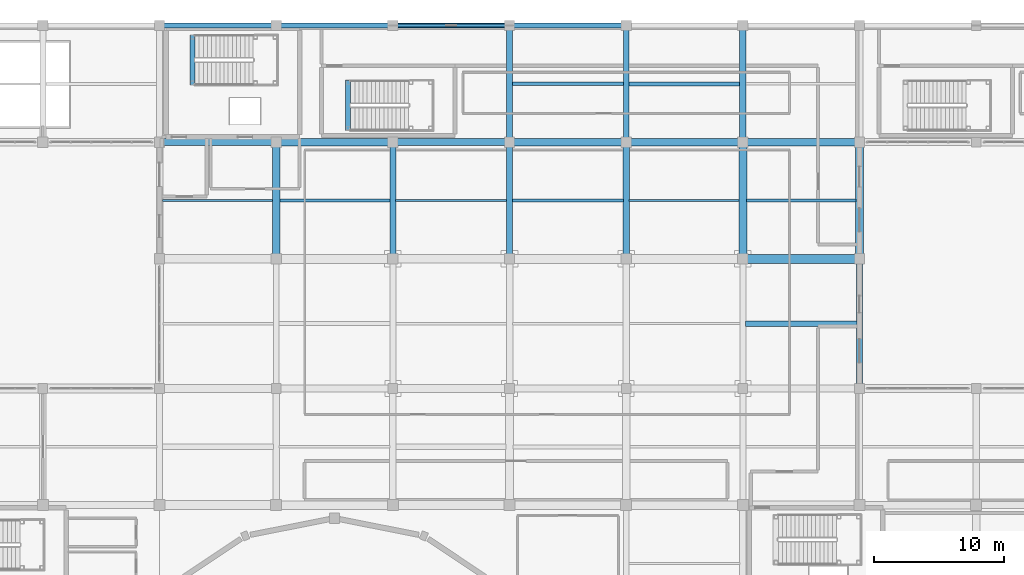
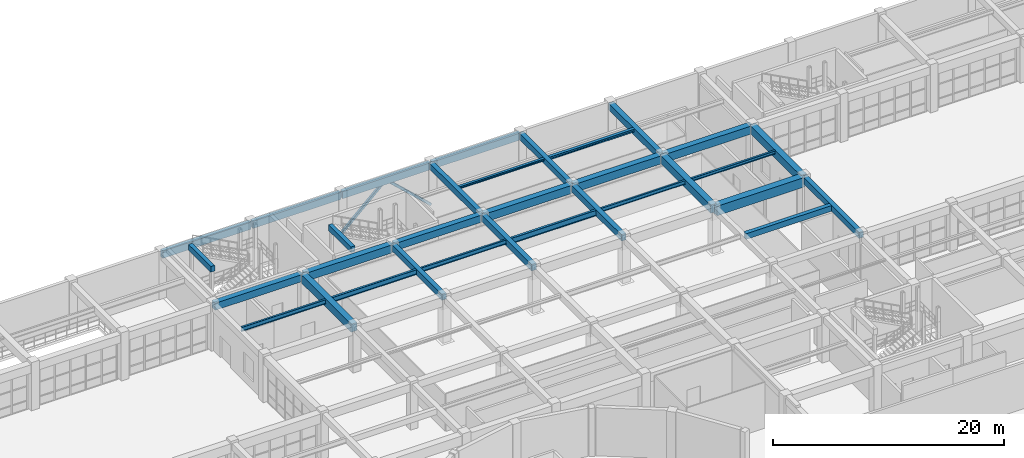
# One storey, part 69 of 128: 32 beams, 2 members.
"""IFC4 building model written with IfcOpenShell, lengths in metres."""

from ifc_helpers import new_model, si_unit, direction, frame, origin, origin_2d, place, context, subcontext, project, spatial, rectangle, hollow_rectangle, i_section, extrude, material, material_profile, profile_set, type_object, element, save


model = new_model("IFC4")

# Units and contexts
model_context = context("Model", 3, precision=1e-05, world=origin(), true_north=direction((0.0, 1.0)))
body_context = subcontext(model_context, "Body", "Model", "MODEL_VIEW")
ifc_project = project(units=[si_unit("LENGTHUNIT", "METRE"), si_unit("AREAUNIT", "SQUARE_METRE"), si_unit("VOLUMEUNIT", "CUBIC_METRE"), si_unit("PLANEANGLEUNIT", "RADIAN"), si_unit("MASSUNIT", "GRAM", prefix="KILO")], contexts=[model_context])

# Site, building, storey
site_placement = place(None, origin())
site = spatial("IfcSite", under=ifc_project, at=site_placement, CompositionType="ELEMENT")
building_placement = place(site_placement, origin())
building = spatial("IfcBuilding", under=site, at=building_placement, Name="Miravela Opera House", CompositionType="ELEMENT")
storey_placement = place(building_placement, origin())
storey = spatial("IfcBuildingStorey", under=building, at=storey_placement, Name="L00", CompositionType="ELEMENT", Elevation=0.0)

# Beams
ifc_material_1 = material(Name="Concrete C35/45", Category="concrete")
ifc_material_profile_1 = material_profile(ifc_material_1, rectangle(XDim=0.39990234375, YDim=0.60009765625, at=origin_2d()), Name="RC-BM-400X600")
ifc_profile_set_1 = profile_set([ifc_material_profile_1])
beam_type_1 = type_object("IfcBeamType", Name="STR-BM-RC400X600", PredefinedType="JOIST", material=ifc_profile_set_1)
beam_1_placement = place(storey_placement, frame((108.2099609375, 89.0, 4.550048828125), z_axis=(1.0, 0.0, 0.0), x_axis=(0.0, 1.0, 0.0)))
element("IfcBeam", 1, at=beam_1_placement, inside=storey, type_object=beam_type_1, Name="Secondary Floor Joist L00 13-14/J-K", PredefinedType="JOIST", context=body_context, shape_type="SweptSolid", body=[
    extrude(rectangle(XDim=0.39990234375, YDim=0.60009765625, at=origin_2d()), origin(), (0.0, 0.0, 1.0), 8.580078125),
])
for number, where, z_axis, x_axis, name in (
    (2, (65.5400390625, 107.39990234375, 4.800048828125), (0.0, 1.0, 0.0), (-1.0, 0.0, 0.0), "Stair K5 Opening Header Trimmer Beam 01"),
    (3, (77.5400390625, 103.89990234375, 4.800048828125), (0.0, 1.0, 0.0), (-1.0, 0.0, 0.0), "Stair ST-07 Opening Header Trimmer Beam 01"),
):
    element("IfcBeam", number, at=place(storey_placement, frame(where, z_axis=z_axis, x_axis=x_axis)), inside=storey, type_object=beam_type_1, Name=name, PredefinedType="JOIST", context=body_context, shape_type="SweptSolid", body=[
        extrude(rectangle(XDim=0.39990234375, YDim=0.60009765625, at=origin_2d()), origin(), (0.0, 0.0, 1.0), 3.880126953125),
    ])
ifc_material_profile_2 = material_profile(ifc_material_1, rectangle(XDim=0.449951171875, YDim=0.64990234375, at=origin_2d()), Name="RC-BM-450X650")
ifc_profile_set_2 = profile_set([ifc_material_profile_2])
beam_type_2 = type_object("IfcBeamType", Name="STR-BM-RC450X650", PredefinedType="BEAM", material=ifc_profile_set_2)
for number, where, z_axis, x_axis, name in (
    (4, (81.0, 94.080078125, 4.52490234375), (0.0, 1.0, 0.0), (-1.0, 0.0, 0.0), "Floor Girder L00 10/K-L"),
    (5, (90.0, 103.080078125, 4.52490234375), (0.0, 1.0, 0.0), (-1.0, 0.0, 0.0), "Floor Girder L00 11/L-M"),
    (6, (99.0, 103.080078125, 4.52490234375), (0.0, 1.0, 0.0), (-1.0, 0.0, 0.0), "Floor Girder L00 12/L-M"),
):
    element("IfcBeam", number, at=place(storey_placement, frame(where, z_axis=z_axis, x_axis=x_axis)), inside=storey, type_object=beam_type_2, Name=name, PredefinedType="BEAM", context=body_context, shape_type="SweptSolid", body=[
        extrude(rectangle(XDim=0.449951171875, YDim=0.64990234375, at=origin_2d()), origin(), (0.0, 0.0, 1.0), 8.83984375),
    ])
beam_2_placement = place(storey_placement, frame((117.0, 84.080078125, 4.52490234375), z_axis=(0.0, 1.0, 0.0), x_axis=(-1.0, 0.0, 0.0)))
element("IfcBeam", 7, at=beam_2_placement, inside=storey, type_object=beam_type_2, Name="Floor Girder L00 14/J-K", PredefinedType="BEAM", context=body_context, shape_type="SweptSolid", body=[
    extrude(rectangle(XDim=0.449951171875, YDim=0.64990234375, at=origin_2d()), origin(), (0.0, 0.0, 1.0), 9.83984375),
])
ifc_material_profile_3 = material_profile(ifc_material_1, rectangle(XDim=0.47998046875, YDim=0.679931640625, at=origin_2d()), Name="RC-BM-480X680")
ifc_profile_set_3 = profile_set([ifc_material_profile_3])
beam_type_3 = type_object("IfcBeamType", Name="STR-BM-RC480X680", PredefinedType="BEAM", material=ifc_profile_set_3)
for number, where, z_axis, x_axis, name in (
    (8, (90.0, 94.080078125, 4.510009765625), (0.0, 1.0, 0.0), (-1.0, 0.0, 0.0), "Floor Girder L00 11/K-L"),
    (9, (99.0, 94.080078125, 4.510009765625), (0.0, 1.0, 0.0), (-1.0, 0.0, 0.0), "Floor Girder L00 12/K-L"),
):
    element("IfcBeam", number, at=place(storey_placement, frame(where, z_axis=z_axis, x_axis=x_axis)), inside=storey, type_object=beam_type_3, Name=name, PredefinedType="BEAM", context=body_context, shape_type="SweptSolid", body=[
        extrude(rectangle(XDim=0.47998046875, YDim=0.679931640625, at=origin_2d()), origin(), (0.0, 0.0, 1.0), 8.83984375),
    ])
ifc_material_profile_4 = material_profile(ifc_material_1, rectangle(XDim=0.5, YDim=0.699951171875, at=origin_2d()), Name="RC-BM-500X700")
ifc_profile_set_4 = profile_set([ifc_material_profile_4])
beam_type_4 = type_object("IfcBeamType", Name="STR-BM-RC500X700", PredefinedType="BEAM", material=ifc_profile_set_4)
beam_3_placement = place(storey_placement, frame((108.0, 103.080078125, 4.5), z_axis=(0.0, 1.0, 0.0), x_axis=(-1.0, 0.0, 0.0)))
element("IfcBeam", 10, at=beam_3_placement, inside=storey, type_object=beam_type_4, Name="Floor Girder L00 13/L-M", PredefinedType="BEAM", context=body_context, shape_type="SweptSolid", body=[
    extrude(rectangle(XDim=0.5, YDim=0.699951171875, at=origin_2d()), origin(), (0.0, 0.0, 1.0), 8.83984375),
])
ifc_material_profile_5 = material_profile(ifc_material_1, rectangle(XDim=0.550048828125, YDim=0.75, at=origin_2d()), Name="RC-BM-550X750")
ifc_profile_set_5 = profile_set([ifc_material_profile_5])
beam_type_5 = type_object("IfcBeamType", Name="STR-BM-RC550X750", PredefinedType="BEAM", material=ifc_profile_set_5)
for number, where, z_axis, x_axis, name in (
    (11, (63.080078125, 103.0, 4.47509765625), (1.0, 0.0, 0.0), (0.0, 1.0, 0.0), "Floor Girder L00 8-9/L"),
    (12, (81.080078125, 103.0, 4.47509765625), (1.0, 0.0, 0.0), (0.0, 1.0, 0.0), "Floor Girder L00 10-11/L"),
):
    element("IfcBeam", number, at=place(storey_placement, frame(where, z_axis=z_axis, x_axis=x_axis)), inside=storey, type_object=beam_type_5, Name=name, PredefinedType="BEAM", context=body_context, shape_type="SweptSolid", body=[
        extrude(rectangle(XDim=0.550048828125, YDim=0.75, at=origin_2d()), origin(), (0.0, 0.0, 1.0), 8.83984375),
    ])
ifc_material_2 = material(Name="Concrete C40/50", Category="concrete")
ifc_material_profile_6 = material_profile(ifc_material_2, rectangle(XDim=0.60009765625, YDim=0.85009765625, at=origin_2d()), Name="RC-BM-600X850")
ifc_profile_set_6 = profile_set([ifc_material_profile_6])
beam_type_6 = type_object("IfcBeamType", Name="STR-BM-RC600X850", PredefinedType="BEAM", material=ifc_profile_set_6)
for number, where, z_axis, x_axis, name in (
    (13, (72.080078125, 103.0, 4.425048828125), (1.0, 0.0, 0.0), (0.0, 1.0, 0.0), "Floor Girder L00 9-10/L"),
    (14, (90.080078125, 103.0, 4.425048828125), (1.0, 0.0, 0.0), (0.0, 1.0, 0.0), "Floor Girder L00 11-12/L"),
    (15, (99.080078125, 103.0, 4.425048828125), (1.0, 0.0, 0.0), (0.0, 1.0, 0.0), "Floor Girder L00 12-13/L"),
    (16, (108.080078125, 103.0, 4.425048828125), (1.0, 0.0, 0.0), (0.0, 1.0, 0.0), "Floor Girder L00 13-14/L"),
    (17, (72.0, 94.080078125, 4.425048828125), (0.0, 1.0, 0.0), (-1.0, 0.0, 0.0), "Floor Girder L00 9/K-L"),
    (18, (108.0, 94.080078125, 4.425048828125), (0.0, 1.0, 0.0), (-1.0, 0.0, 0.0), "Floor Girder L00 13/K-L"),
    (19, (117.0, 94.080078125, 4.425048828125), (0.0, 1.0, 0.0), (-1.0, 0.0, 0.0), "Floor Girder L00 14/K-L"),
):
    element("IfcBeam", number, at=place(storey_placement, frame(where, z_axis=z_axis, x_axis=x_axis)), inside=storey, type_object=beam_type_6, Name=name, PredefinedType="BEAM", context=body_context, shape_type="SweptSolid", body=[
        extrude(rectangle(XDim=0.60009765625, YDim=0.85009765625, at=origin_2d()), origin(), (0.0, 0.0, 1.0), 8.83984375),
    ])
ifc_material_profile_7 = material_profile(ifc_material_2, rectangle(XDim=0.699951171875, YDim=1.0, at=origin_2d()), Name="RC-BM-700X1000")
ifc_profile_set_7 = profile_set([ifc_material_profile_7])
beam_type_7 = type_object("IfcBeamType", Name="STR-BM-RC700X1000", PredefinedType="BEAM", material=ifc_profile_set_7)
beam_4_placement = place(storey_placement, frame((108.080078125, 94.0, 4.35009765625), z_axis=(1.0, 0.0, 0.0), x_axis=(0.0, 1.0, 0.0)))
element("IfcBeam", 20, at=beam_4_placement, inside=storey, type_object=beam_type_7, Name="Floor Girder L00 13-14/K", PredefinedType="BEAM", context=body_context, shape_type="SweptSolid", body=[
    extrude(rectangle(XDim=0.699951171875, YDim=1.0, at=origin_2d()), origin(), (0.0, 0.0, 1.0), 8.83984375),
])
ifc_material_3 = material(Name="Structural steel ASTM A992 Gr. 50", Category="steel")
ifc_material_profile_8 = material_profile(ifc_material_3, i_section(OverallWidth=0.25390625, OverallDepth=0.2529296875, WebThickness=0.008544921875, FlangeThickness=0.01416015625, FilletRadius=0.011962890625, at=origin_2d()), Name="W250X73")
ifc_profile_set_8 = profile_set([ifc_material_profile_8])
beam_type_8 = type_object("IfcBeamType", Name="STR-BM-W250X73", PredefinedType="JOIST", material=ifc_profile_set_8)
beam_5_placement = place(storey_placement, frame((90.2099609375, 107.5, 4.723388671875), z_axis=(1.0, 0.0, 0.0), x_axis=(0.0, 1.0, 0.0)))
element("IfcBeam", 21, at=beam_5_placement, inside=storey, type_object=beam_type_8, Name="Secondary Floor Joist L00 11-12/L-M", PredefinedType="JOIST", context=body_context, shape_type="SweptSolid", body=[
    extrude(i_section(OverallWidth=0.25390625, OverallDepth=0.2529296875, WebThickness=0.008544921875, FlangeThickness=0.01416015625, FilletRadius=0.011962890625, at=origin_2d()), origin(), (0.0, 0.0, 1.0), 8.580078125),
])
ifc_material_profile_9 = material_profile(ifc_material_3, i_section(OverallWidth=0.304931640625, OverallDepth=0.30810546875, WebThickness=0.010009765625, FlangeThickness=0.015380859375, FilletRadius=0.013916015625, at=origin_2d()), Name="W310X97")
ifc_profile_set_9 = profile_set([ifc_material_profile_9])
beam_type_9 = type_object("IfcBeamType", Name="STR-BM-W310X97", PredefinedType="JOIST", material=ifc_profile_set_9)
beam_6_placement = place(storey_placement, frame((99.2099609375, 107.5, 4.696044921875), z_axis=(1.0, 0.0, 0.0), x_axis=(0.0, 1.0, 0.0)))
element("IfcBeam", 22, at=beam_6_placement, inside=storey, type_object=beam_type_9, Name="Secondary Floor Joist L00 12-13/L-M", PredefinedType="JOIST", context=body_context, shape_type="SweptSolid", body=[
    extrude(i_section(OverallWidth=0.304931640625, OverallDepth=0.30810546875, WebThickness=0.010009765625, FlangeThickness=0.015380859375, FilletRadius=0.013916015625, at=origin_2d()), origin(), (0.0, 0.0, 1.0), 8.554931640625),
])
ifc_material_profile_10 = material_profile(ifc_material_3, i_section(OverallWidth=0.2041015625, OverallDepth=0.35009765625, WebThickness=0.008544921875, FlangeThickness=0.01513671875, FilletRadius=0.013916015625, at=origin_2d()), Name="W360X72")
ifc_profile_set_10 = profile_set([ifc_material_profile_10])
beam_type_10 = type_object("IfcBeamType", Name="STR-BM-W360X72", PredefinedType="JOIST", material=ifc_profile_set_10)
beam_7_placement = place(storey_placement, frame((108.284912109375, 98.5, 4.675048828125), z_axis=(1.0, 0.0, 0.0), x_axis=(0.0, 1.0, 0.0)))
element("IfcBeam", 23, at=beam_7_placement, inside=storey, type_object=beam_type_10, Name="Secondary Floor Joist L00 13-14/K-L", PredefinedType="JOIST", context=body_context, shape_type="SweptSolid", body=[
    extrude(i_section(OverallWidth=0.2041015625, OverallDepth=0.35009765625, WebThickness=0.008544921875, FlangeThickness=0.01513671875, FilletRadius=0.013916015625, at=origin_2d()), origin(), (0.0, 0.0, 1.0), 8.43017578125),
])
ifc_material_profile_11 = material_profile(ifc_material_3, i_section(OverallWidth=0.177978515625, OverallDepth=0.406982421875, WebThickness=0.0078125, FlangeThickness=0.0126953125, FilletRadius=0.012939453125, at=origin_2d()), Name="W410X60")
ifc_profile_set_11 = profile_set([ifc_material_profile_11])
beam_type_11 = type_object("IfcBeamType", Name="STR-BM-W410X60", PredefinedType="JOIST", material=ifc_profile_set_11)
beam_8_placement = place(storey_placement, frame((99.22509765625, 98.5, 4.646484375), z_axis=(1.0, 0.0, 0.0), x_axis=(0.0, 1.0, 0.0)))
element("IfcBeam", 24, at=beam_8_placement, inside=storey, type_object=beam_type_11, Name="Secondary Floor Joist L00 12-13/K-L", PredefinedType="JOIST", context=body_context, shape_type="SweptSolid", body=[
    extrude(i_section(OverallWidth=0.177978515625, OverallDepth=0.406982421875, WebThickness=0.0078125, FlangeThickness=0.0126953125, FilletRadius=0.012939453125, at=origin_2d()), origin(), (0.0, 0.0, 1.0), 8.489990234375),
])
ifc_material_profile_12 = material_profile(ifc_material_3, i_section(OverallWidth=0.19091796875, OverallDepth=0.4599609375, WebThickness=0.010009765625, FlangeThickness=0.01611328125, FilletRadius=0.014892578125, at=origin_2d()), Name="W460X82")
ifc_profile_set_12 = profile_set([ifc_material_profile_12])
beam_type_12 = type_object("IfcBeamType", Name="STR-BM-W460X82", PredefinedType="JOIST", material=ifc_profile_set_12)
beam_9_placement = place(storey_placement, frame((63.235107421875, 98.5, 4.6201171875), z_axis=(1.0, 0.0, 0.0), x_axis=(0.0, 1.0, 0.0)))
element("IfcBeam", 25, at=beam_9_placement, inside=storey, type_object=beam_type_12, Name="Secondary Floor Joist L00 8-9/K-L", PredefinedType="JOIST", context=body_context, shape_type="SweptSolid", body=[
    extrude(i_section(OverallWidth=0.19091796875, OverallDepth=0.4599609375, WebThickness=0.010009765625, FlangeThickness=0.01611328125, FilletRadius=0.014892578125, at=origin_2d()), origin(), (0.0, 0.0, 1.0), 8.47998046875),
])
beam_10_placement = place(storey_placement, frame((81.2099609375, 98.5, 4.6201171875), z_axis=(1.0, 0.0, 0.0), x_axis=(0.0, 1.0, 0.0)))
element("IfcBeam", 26, at=beam_10_placement, inside=storey, type_object=beam_type_12, Name="Secondary Floor Joist L00 10-11/K-L", PredefinedType="JOIST", context=body_context, shape_type="SweptSolid", body=[
    extrude(i_section(OverallWidth=0.19091796875, OverallDepth=0.4599609375, WebThickness=0.010009765625, FlangeThickness=0.01611328125, FilletRadius=0.014892578125, at=origin_2d()), origin(), (0.0, 0.0, 1.0), 8.56494140625),
])
ifc_material_profile_13 = material_profile(ifc_material_3, i_section(OverallWidth=0.208984375, OverallDepth=0.532958984375, WebThickness=0.01025390625, FlangeThickness=0.015625, FilletRadius=0.014892578125, at=origin_2d()), Name="W530X92")
ifc_profile_set_13 = profile_set([ifc_material_profile_13])
beam_type_13 = type_object("IfcBeamType", Name="STR-BM-W530X92", PredefinedType="BEAM", material=ifc_profile_set_13)
beam_11_placement = place(storey_placement, frame((72.284912109375, 98.5, 4.58349609375), z_axis=(1.0, 0.0, 0.0), x_axis=(0.0, 1.0, 0.0)))
element("IfcBeam", 27, at=beam_11_placement, inside=storey, type_object=beam_type_13, Name="Secondary Floor Joist L00 9-10/K-L", PredefinedType="BEAM", context=body_context, shape_type="SweptSolid", body=[
    extrude(i_section(OverallWidth=0.208984375, OverallDepth=0.532958984375, WebThickness=0.01025390625, FlangeThickness=0.015625, FilletRadius=0.014892578125, at=origin_2d()), origin(), (0.0, 0.0, 1.0), 8.505126953125),
])
ifc_material_profile_14 = material_profile(ifc_material_3, i_section(OverallWidth=0.22802734375, OverallDepth=0.60791015625, WebThickness=0.01123046875, FlangeThickness=0.017333984375, FilletRadius=0.01611328125, at=origin_2d()), Name="W610X113")
ifc_profile_set_14 = profile_set([ifc_material_profile_14])
beam_type_14 = type_object("IfcBeamType", Name="STR-BM-W610X113", PredefinedType="BEAM", material=ifc_profile_set_14)
beam_12_placement = place(storey_placement, frame((90.22509765625, 98.5, 4.5458984375), z_axis=(1.0, 0.0, 0.0), x_axis=(0.0, 1.0, 0.0)))
element("IfcBeam", 28, at=beam_12_placement, inside=storey, type_object=beam_type_14, Name="Secondary Floor Joist L00 11-12/K-L", PredefinedType="BEAM", context=body_context, shape_type="SweptSolid", body=[
    extrude(i_section(OverallWidth=0.22802734375, OverallDepth=0.60791015625, WebThickness=0.01123046875, FlangeThickness=0.017333984375, FilletRadius=0.01611328125, at=origin_2d()), origin(), (0.0, 0.0, 1.0), 8.5498046875),
])

# Members
ifc_material_4 = material(Name="Hollow structural steel ASTM A500 Gr. C", Category="steel")
ifc_material_profile_15 = material_profile(ifc_material_4, hollow_rectangle(XDim=0.25, YDim=0.25, WallThickness=0.011962890625, InnerFilletRadius=0.011962890625, OuterFilletRadius=0.02392578125, at=origin_2d()), Name="HSS250X250X12")
ifc_profile_set_15 = profile_set([ifc_material_profile_15])
member_type = type_object("IfcMemberType", Name="STR-MEM-FRAME-BR1", PredefinedType="BRACE", material=ifc_profile_set_15)
for number, where, z_axis, x_axis, name in (
    (29, (81.0, 112.0, 0.300048828125), (0.73105922506, 0.0, 0.682314010889), (0.0, 1.0, 0.0), "Concentric Braced Frame BF-N2 L00 Left Brace"),
    (30, (90.0, 112.0, 0.300048828125), (-0.73105922506, 0.0, 0.682314010889), (0.0, -1.0, 0.0), "Concentric Braced Frame BF-N2 L00 Right Brace"),
):
    element("IfcMember", number, at=place(storey_placement, frame(where, z_axis=z_axis, x_axis=x_axis)), inside=storey, type_object=member_type, Name=name, PredefinedType="BRACE", context=body_context, shape_type="SweptSolid", body=[
        extrude(hollow_rectangle(XDim=0.25, YDim=0.25, WallThickness=0.011962890625, InnerFilletRadius=0.011962890625, OuterFilletRadius=0.02392578125, at=origin_2d()), origin(), (0.0, 0.0, 1.0), 6.155517578125),
    ])

# Beams
ifc_material_profile_16 = material_profile(ifc_material_1, rectangle(XDim=0.39990234375, YDim=0.75, at=origin_2d()), Name="RC-SPN-400X750")
ifc_profile_set_16 = profile_set([ifc_material_profile_16])
beam_type_15 = type_object("IfcBeamType", Name="STR-SPN-RC400X750", PredefinedType="SPANDREL", material=ifc_profile_set_16)
for number, where, z_axis, x_axis, name in (
    (31, (63.080078125, 112.0, 4.47509765625), (1.0, 0.0, 0.0), (0.0, 1.0, 0.0), "Floor Girder L00 8-9/M"),
    (32, (72.080078125, 112.0, 4.47509765625), (1.0, 0.0, 0.0), (0.0, 1.0, 0.0), "Floor Girder L00 9-10/M"),
    (33, (81.080078125, 112.0, 4.47509765625), (1.0, 0.0, 0.0), (0.0, 1.0, 0.0), "Floor Girder L00 10-11/M"),
    (34, (90.080078125, 112.0, 4.47509765625), (1.0, 0.0, 0.0), (0.0, 1.0, 0.0), "Floor Girder L00 11-12/M"),
):
    element("IfcBeam", number, at=place(storey_placement, frame(where, z_axis=z_axis, x_axis=x_axis)), inside=storey, type_object=beam_type_15, Name=name, PredefinedType="SPANDREL", context=body_context, shape_type="SweptSolid", body=[
        extrude(rectangle(XDim=0.39990234375, YDim=0.75, at=origin_2d()), origin(), (0.0, 0.0, 1.0), 8.83984375),
    ])

save(model, "model.ifc")
